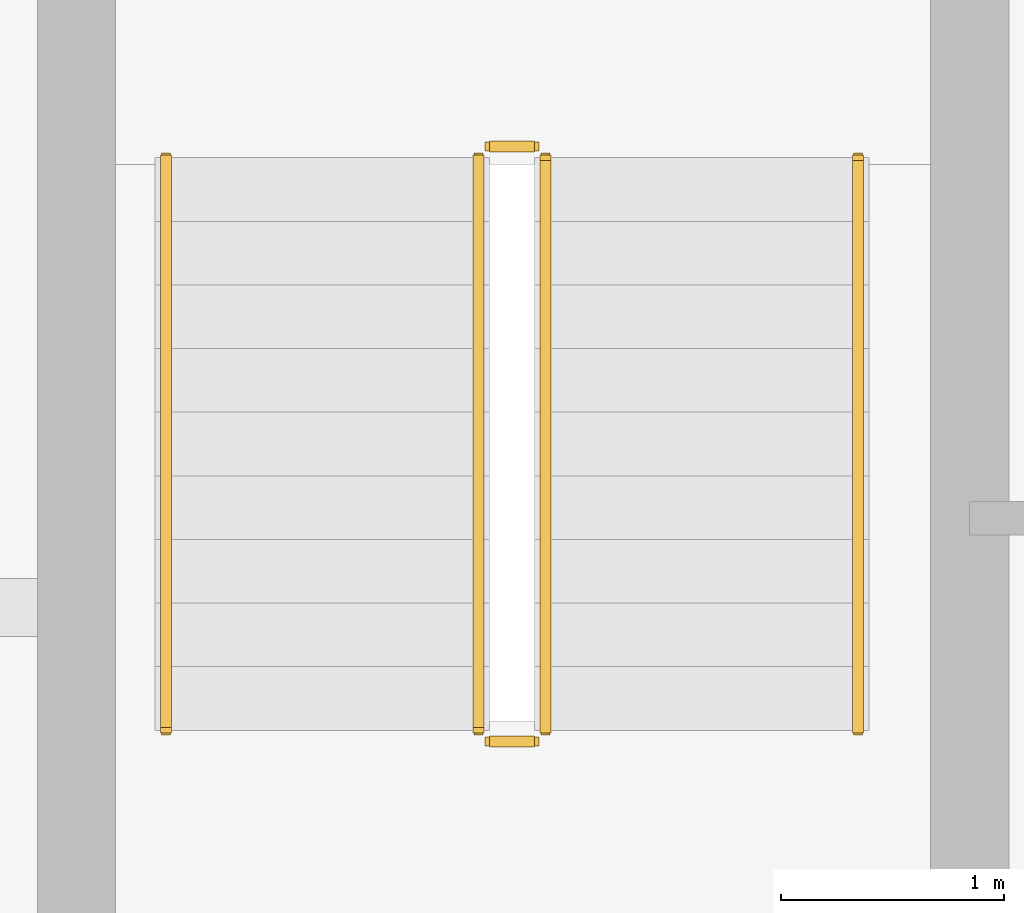
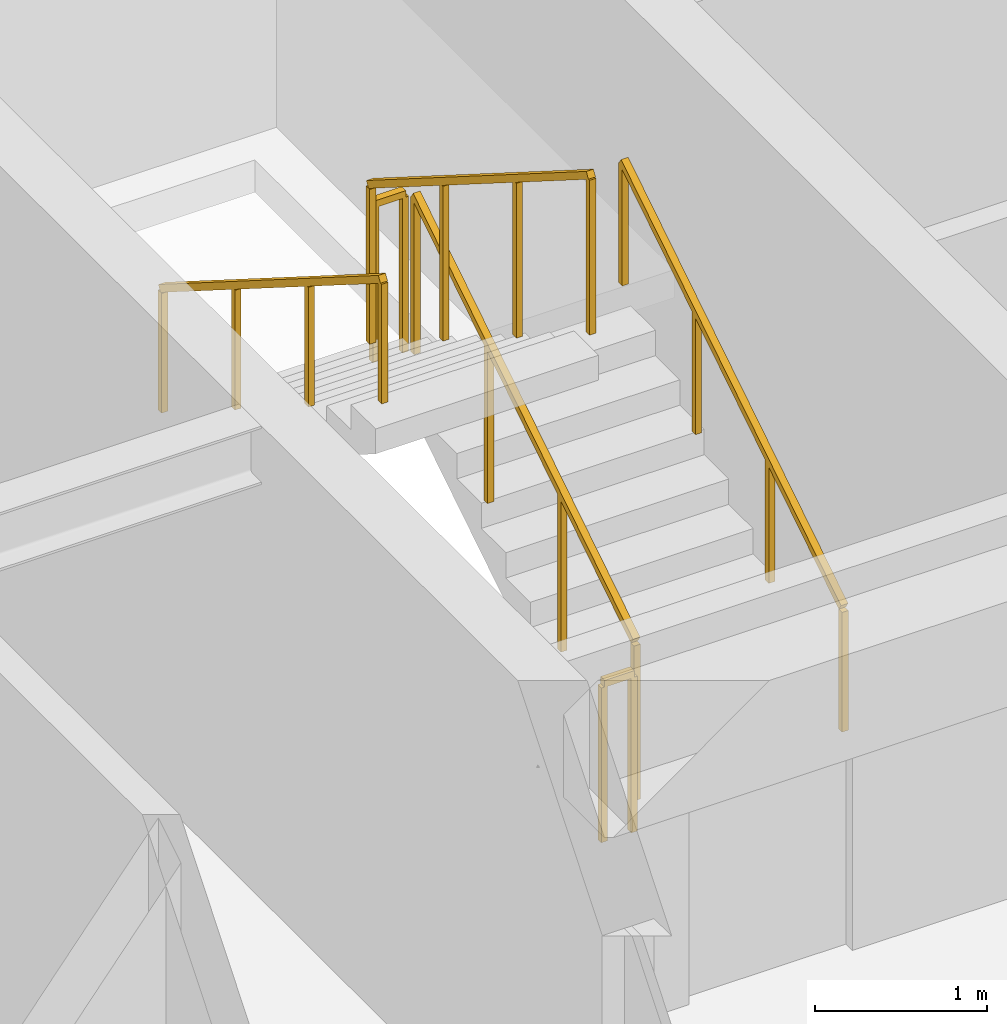
# One storey, part 19 of 21: 6 railings.
"""IFC4 building model written with IfcOpenShell, lengths in metres."""

from ifc_helpers import new_model, si_unit, direction, frame, origin, origin_2d, place, context, subcontext, project, spatial, rectangle, extrude, material, type_object, element, save


model = new_model("IFC4")

# Units and contexts
model_context = context("Model", 3, precision=1e-05, world=origin(), true_north=direction((0.0, 1.0)))
body_context = subcontext(model_context, "Body", "Model", "MODEL_VIEW")
ifc_project = project(units=[si_unit("LENGTHUNIT", "METRE"), si_unit("AREAUNIT", "SQUARE_METRE"), si_unit("VOLUMEUNIT", "CUBIC_METRE"), si_unit("PLANEANGLEUNIT", "RADIAN"), si_unit("MASSUNIT", "GRAM", prefix="KILO")], contexts=[model_context])

# Site, building, storey
site_placement = place(None, origin())
site = spatial("IfcSite", under=ifc_project, at=site_placement, CompositionType="ELEMENT")
building_placement = place(site_placement, origin())
building = spatial("IfcBuilding", under=site, at=building_placement, Name="Sarneth Arch Tower", CompositionType="ELEMENT")
storey_placement = place(building_placement, frame((0.0, 0.0, 309.0)))
storey = spatial("IfcBuildingStorey", under=building, at=storey_placement, Name="L80", CompositionType="ELEMENT", Elevation=309.0)

# Railings
ifc_material_1 = material(Name="Brushed Stainless Steel 304 tubular handrail", Category="steel")
railing_type_1 = type_object("IfcRailingType", Name="RAIL-HANDRAIL-900", PredefinedType="HANDRAIL", material=ifc_material_1)
railing_1_placement = place(storey_placement, frame((40.5, 41.449951171875, 0.179931640625)))
element("IfcRailing", 1, at=railing_1_placement, inside=storey, type_object=railing_type_1, Name="L80 ST-1 stair handrail 1", PredefinedType="HANDRAIL", context=body_context, shape_type="SweptSolid", body=[
    extrude(rectangle(XDim=0.048095703125, YDim=0.048095703125, at=origin_2d()), frame((0.0, 0.0, 0.8759765625), z_axis=(0.0, 0.845465955043, 0.534029323973), x_axis=(-1.0, 0.0, 0.0)), (0.0, 0.0, 1.0), 3.03369140625),
    extrude(rectangle(XDim=0.0419921875, YDim=0.0419921875, at=origin_2d()), origin(), (0.0, 0.0, 1.0), 0.851806640625),
    extrude(rectangle(XDim=0.0419921875, YDim=0.0419921875, at=origin_2d()), frame((0.0, 0.85498046875, 0.5400390625)), (0.0, 0.0, 1.0), 0.851806640625),
    extrude(rectangle(XDim=0.0419921875, YDim=0.0419921875, at=origin_2d()), frame((0.0, 1.7099609375, 1.080078125)), (0.0, 0.0, 1.0), 0.851806640625),
    extrude(rectangle(XDim=0.0419921875, YDim=0.0419921875, at=origin_2d()), frame((0.0, 2.56494140625, 1.6201171875)), (0.0, 0.0, 1.0), 0.851806640625),
])
railing_2_placement = place(storey_placement, frame((37.39990234375, 44.014892578125, 1.97998046875)))
element("IfcRailing", 2, at=railing_2_placement, inside=storey, type_object=railing_type_1, Name="L80 ST-1 stair handrail 2", PredefinedType="HANDRAIL", context=body_context, shape_type="SweptSolid", body=[
    extrude(rectangle(XDim=0.048095703125, YDim=0.048095703125, at=origin_2d()), frame((0.0, 0.0, 0.8759765625), z_axis=(0.0, -0.845465955043, 0.534029323973), x_axis=(1.0, 0.0, 0.0)), (0.0, 0.0, 1.0), 3.03369140625),
    extrude(rectangle(XDim=0.0419921875, YDim=0.0419921875, at=origin_2d()), origin(), (0.0, 0.0, 1.0), 0.851806640625),
    extrude(rectangle(XDim=0.0419921875, YDim=0.0419921875, at=origin_2d()), frame((0.0, -0.85498046875, 0.5400390625)), (0.0, 0.0, 1.0), 0.851806640625),
    extrude(rectangle(XDim=0.0419921875, YDim=0.0419921875, at=origin_2d()), frame((0.0, -1.7099609375, 1.080078125)), (0.0, 0.0, 1.0), 0.851806640625),
    extrude(rectangle(XDim=0.0419921875, YDim=0.0419921875, at=origin_2d()), frame((0.0, -2.56494140625, 1.6201171875)), (0.0, 0.0, 1.0), 0.851806640625),
])
ifc_material_2 = material(Name="Painted Steel S275 stair well guard", Category="steel")
railing_type_2 = type_object("IfcRailingType", Name="RAIL-STAIR-GUARD", PredefinedType="GUARDRAIL", material=ifc_material_2)
railing_3_placement = place(storey_placement, frame((39.10009765625, 41.449951171875, 0.179931640625)))
element("IfcRailing", 3, at=railing_3_placement, inside=storey, type_object=railing_type_2, Name="L80 ST-1 stair guard 1", PredefinedType="GUARDRAIL", context=body_context, shape_type="SweptSolid", body=[
    extrude(rectangle(XDim=0.048095703125, YDim=0.048095703125, at=origin_2d()), frame((0.0, 0.0, 1.1259765625), z_axis=(0.0, 0.845465955043, 0.534029323973), x_axis=(-1.0, 0.0, 0.0)), (0.0, 0.0, 1.0), 3.03369140625),
    extrude(rectangle(XDim=0.0419921875, YDim=0.0419921875, at=origin_2d()), origin(), (0.0, 0.0, 1.0), 1.101806640625),
    extrude(rectangle(XDim=0.0419921875, YDim=0.0419921875, at=origin_2d()), frame((0.0, 0.85498046875, 0.5400390625)), (0.0, 0.0, 1.0), 1.101806640625),
    extrude(rectangle(XDim=0.0419921875, YDim=0.0419921875, at=origin_2d()), frame((0.0, 1.7099609375, 1.080078125)), (0.0, 0.0, 1.0), 1.101806640625),
    extrude(rectangle(XDim=0.0419921875, YDim=0.0419921875, at=origin_2d()), frame((0.0, 2.56494140625, 1.6201171875)), (0.0, 0.0, 1.0), 1.101806640625),
])
railing_4_placement = place(storey_placement, frame((39.050048828125, 44.06494140625, 1.800048828125)))
element("IfcRailing", 4, at=railing_4_placement, inside=storey, type_object=railing_type_2, Name="L80 ST-1 stair guard 2", PredefinedType="GUARDRAIL", context=body_context, shape_type="SweptSolid", body=[
    extrude(rectangle(XDim=0.048095703125, YDim=0.048095703125, at=origin_2d()), frame((0.0, 0.0, 1.1259765625), z_axis=(-1.0, 0.0, 0.0), x_axis=(0.0, -1.0, 0.0)), (0.0, 0.0, 1.0), 0.199951171875),
    extrude(rectangle(XDim=0.0419921875, YDim=0.0419921875, at=origin_2d()), origin(), (0.0, 0.0, 1.0), 1.101806640625),
    extrude(rectangle(XDim=0.0419921875, YDim=0.0419921875, at=origin_2d()), frame((-0.199951171875, 0.0, 0.0)), (0.0, 0.0, 1.0), 1.101806640625),
])
railing_5_placement = place(storey_placement, frame((38.800048828125, 44.014892578125, 1.97998046875)))
element("IfcRailing", 5, at=railing_5_placement, inside=storey, type_object=railing_type_2, Name="L80 ST-1 stair guard 3", PredefinedType="GUARDRAIL", context=body_context, shape_type="SweptSolid", body=[
    extrude(rectangle(XDim=0.048095703125, YDim=0.048095703125, at=origin_2d()), frame((0.0, 0.0, 1.1259765625), z_axis=(0.0, -0.845465955043, 0.534029323973), x_axis=(1.0, 0.0, 0.0)), (0.0, 0.0, 1.0), 3.03369140625),
    extrude(rectangle(XDim=0.0419921875, YDim=0.0419921875, at=origin_2d()), origin(), (0.0, 0.0, 1.0), 1.101806640625),
    extrude(rectangle(XDim=0.0419921875, YDim=0.0419921875, at=origin_2d()), frame((0.0, -0.85498046875, 0.5400390625)), (0.0, 0.0, 1.0), 1.101806640625),
    extrude(rectangle(XDim=0.0419921875, YDim=0.0419921875, at=origin_2d()), frame((0.0, -1.7099609375, 1.080078125)), (0.0, 0.0, 1.0), 1.101806640625),
    extrude(rectangle(XDim=0.0419921875, YDim=0.0419921875, at=origin_2d()), frame((0.0, -2.56494140625, 1.6201171875)), (0.0, 0.0, 1.0), 1.101806640625),
])
railing_6_placement = place(storey_placement, frame((39.050048828125, 41.39990234375, 0.0)))
element("IfcRailing", 6, at=railing_6_placement, inside=storey, type_object=railing_type_2, Name="L80 ST-1 stair guard 4", PredefinedType="GUARDRAIL", context=body_context, shape_type="SweptSolid", body=[
    extrude(rectangle(XDim=0.048095703125, YDim=0.048095703125, at=origin_2d()), frame((0.0, 0.0, 1.1259765625), z_axis=(-1.0, 0.0, 0.0), x_axis=(0.0, -1.0, 0.0)), (0.0, 0.0, 1.0), 0.199951171875),
    extrude(rectangle(XDim=0.0419921875, YDim=0.0419921875, at=origin_2d()), origin(), (0.0, 0.0, 1.0), 1.101806640625),
    extrude(rectangle(XDim=0.0419921875, YDim=0.0419921875, at=origin_2d()), frame((-0.199951171875, 0.0, 0.0)), (0.0, 0.0, 1.0), 1.101806640625),
])

save(model, "model.ifc")
